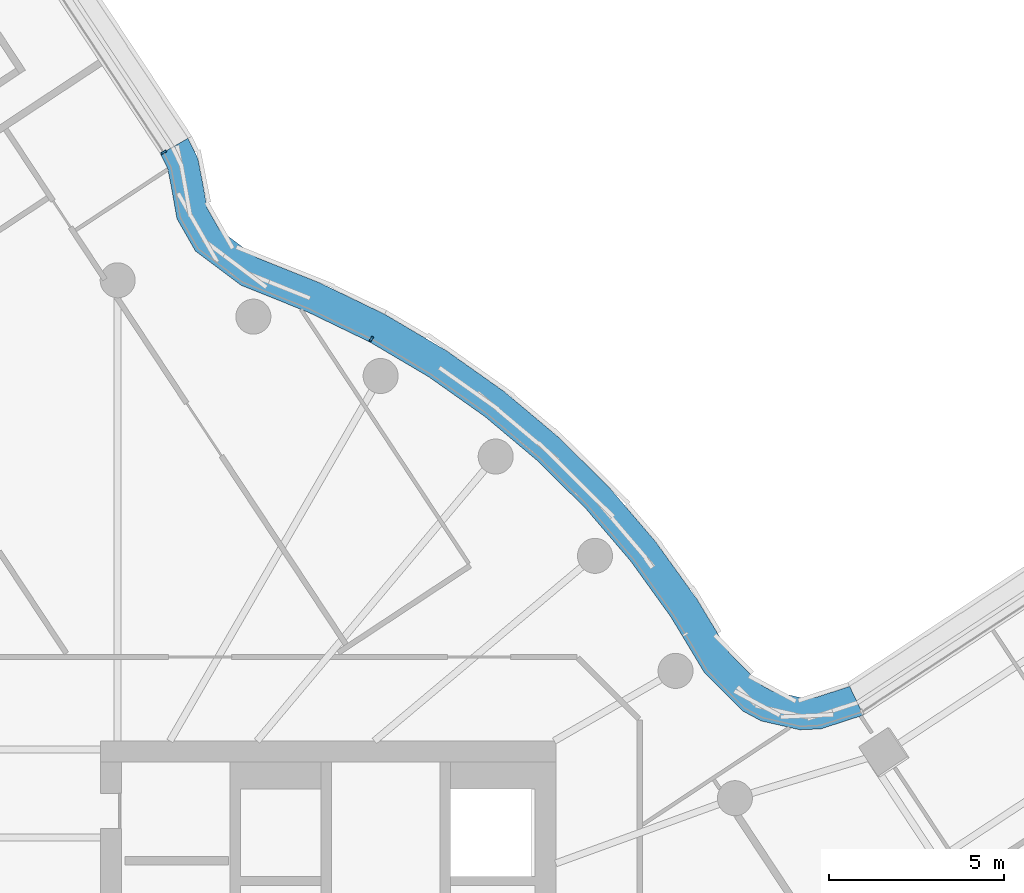
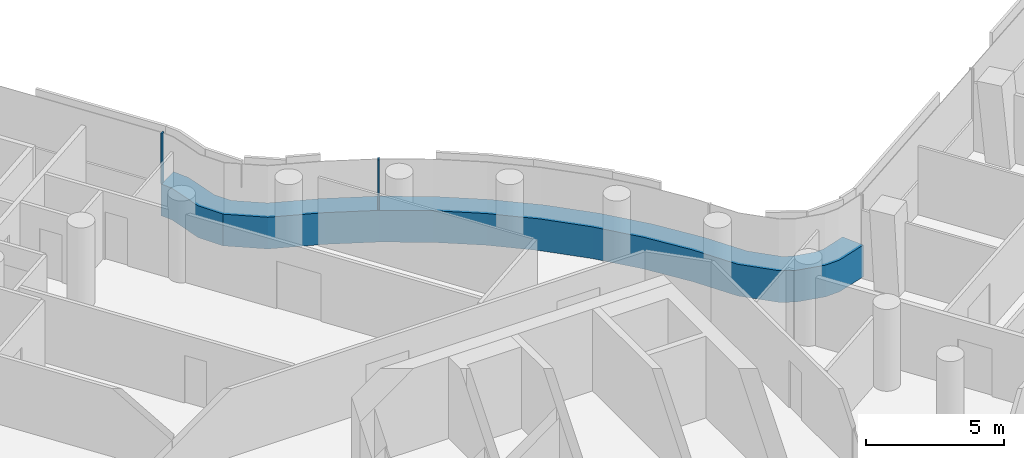
# One storey, part 16 of 35: 3 members, 2 elements without a shape of their own.
"""IFC4 building model written with IfcOpenShell, lengths in metres."""

from ifc_helpers import new_model, si_unit, direction, frame, origin, origin_2d, place, context, subcontext, project, spatial, polyline, rectangle, outline, extrude, material, layer, layer_set, material_profile, profile_set, type_object, element, aggregate, save


model = new_model("IFC4")

# Units and contexts
model_context = context("Model", 3, precision=1e-05, world=origin(), true_north=direction((0.0, 1.0)))
body_context = subcontext(model_context, "Body", "Model", "MODEL_VIEW")
ifc_project = project(units=[si_unit("LENGTHUNIT", "METRE"), si_unit("AREAUNIT", "SQUARE_METRE"), si_unit("VOLUMEUNIT", "CUBIC_METRE"), si_unit("PLANEANGLEUNIT", "RADIAN"), si_unit("MASSUNIT", "GRAM", prefix="KILO")], contexts=[model_context])

# Site, building, storey
site_placement = place(None, origin())
site = spatial("IfcSite", under=ifc_project, at=site_placement, CompositionType="ELEMENT")
building_placement = place(site_placement, origin())
building = spatial("IfcBuilding", under=site, at=building_placement, Name="Tamarind Cross Interchange Tower", CompositionType="ELEMENT")
storey_placement = place(building_placement, frame((0.0, 0.0, 155.5)))
storey = spatial("IfcBuildingStorey", under=building, at=storey_placement, Name="L38", CompositionType="ELEMENT", Elevation=155.5)

# Curtain wall, members
ifc_material_1 = material(Name="Aluminium 6063-T6", Category="aluminium")
ifc_layer = layer(ifc_material_1, 0.159912109375)
ifc_layer_set = layer_set([ifc_layer], Name="Aluminium 6063-T6")
curtain_wall_type = type_object("IfcCurtainWallType", Name="Office curtain wall, 9.0 m bays", PredefinedType="NOTDEFINED", material=ifc_layer_set)
curtain_wall_1_placement = place(storey_placement, origin())
curtain_wall_1 = element("IfcCurtainWall", 1, at=curtain_wall_1_placement, inside=storey, type_object=curtain_wall_type, Name="CWS-L38-14", PredefinedType="NOTDEFINED")
ifc_material_2 = material(Name="Aluminium and insulated spandrel panel", Category="aluminium")
member_type_1 = type_object("IfcMemberType", Name="Floor-edge blade transom", PredefinedType="USERDEFINED", material=ifc_material_2)
member_1_placement = place(storey_placement, origin())
member_1 = element("IfcMember", 2, at=member_1_placement, type_object=member_type_1, Name="CWT-L38-14", ObjectType="TRANSOM", PredefinedType="USERDEFINED", context=body_context, shape_type="SweptSolid", body=[
    extrude(outline(polyline([(25.28173828125, 10.23828125), (24.071533203125, 9.84521484375), (23.468017578125, 9.818359375), (22.3603515625, 10.07177734375), (21.8251953125, 10.3603515625), (20.741455078125, 11.450927734375), (19.78125, 13.04541015625), (18.636474609375, 14.634521484375), (17.3642578125, 16.12353515625), (15.973388671875, 17.50244140625), (14.4736328125, 18.76171875), (12.874755859375, 19.892822265625), (11.188232421875, 20.88818359375), (9.423095703125, 21.741455078125), (7.511962890625, 22.509033203125), (6.21044921875, 23.486572265625), (5.68505859375, 24.40625), (5.533447265625, 25.266357421875), (5.42041015625, 25.84033203125), (5.2177734375, 26.25732421875), (6.00146484375, 26.703857421875), (6.281005859375, 26.12890625), (6.418212890625, 25.43115234375), (6.544189453125, 24.716796875), (6.899658203125, 24.094482421875), (7.95751953125, 23.2998046875), (9.787109375, 22.565185546875), (11.613525390625, 21.68212890625), (13.3642578125, 20.64892578125), (15.023681640625, 19.474853515625), (16.580810546875, 18.167724609375), (18.0244140625, 16.736572265625), (19.344970703125, 15.19091796875), (20.533203125, 13.54150390625), (21.45654296875, 12.00830078125), (22.36962890625, 11.08935546875), (22.679931640625, 10.922119140625), (23.550048828125, 10.722900390625), (23.90966796875, 10.739013671875), (24.888671875, 11.056884765625), (25.28173828125, 10.23828125)])), origin(), (0.0, 0.0, 1.0), 1.39990234375),
])
ifc_material_profile = material_profile(ifc_material_1, rectangle(XDim=0.06005859375, YDim=0.159912109375, at=origin_2d()), Name="Mullion CW1")
ifc_profile_set = profile_set([ifc_material_profile], Name="Aluminium 6063-T6")
member_type_2 = type_object("IfcMemberType", Name="Mullion CW1", PredefinedType="MULLION", material=ifc_profile_set)
member_2_placement = place(storey_placement, frame((11.23681640625, 20.9755859375, 1.39990234375), z_axis=(0.0, 0.0, 1.0), x_axis=(-0.861248933065, 0.508183308752, 0.0)))
member_2 = element("IfcMember", 3, at=member_2_placement, type_object=member_type_2, Name="CWM-L38-14-02", PredefinedType="MULLION", context=body_context, shape_type="SweptSolid", body=[
    extrude(rectangle(XDim=0.06005859375, YDim=0.159912109375, at=origin_2d()), origin(), (0.0, 0.0, 1.0), 2.210205078125),
])
aggregate(curtain_wall_1, [member_2, member_1])

# Curtain wall, member
curtain_wall_2_placement = place(storey_placement, origin())
curtain_wall_2 = element("IfcCurtainWall", 4, at=curtain_wall_2_placement, inside=storey, type_object=curtain_wall_type, Name="CWS-L38-15", PredefinedType="NOTDEFINED")
member_3_placement = place(storey_placement, frame((5.304931640625, 26.306884765625, 1.39990234375), z_axis=(0.0, 0.0, 1.0), x_axis=(-0.495210016269, 0.868773295968, 0.0)))
member_3 = element("IfcMember", 5, at=member_3_placement, type_object=member_type_2, Name="CWM-L38-15-00", PredefinedType="MULLION", context=body_context, shape_type="SweptSolid", body=[
    extrude(rectangle(XDim=0.06005859375, YDim=0.159912109375, at=origin_2d()), origin(), (0.0, 0.0, 1.0), 2.210205078125),
])
aggregate(curtain_wall_2, [member_3])

save(model, "model.ifc")
